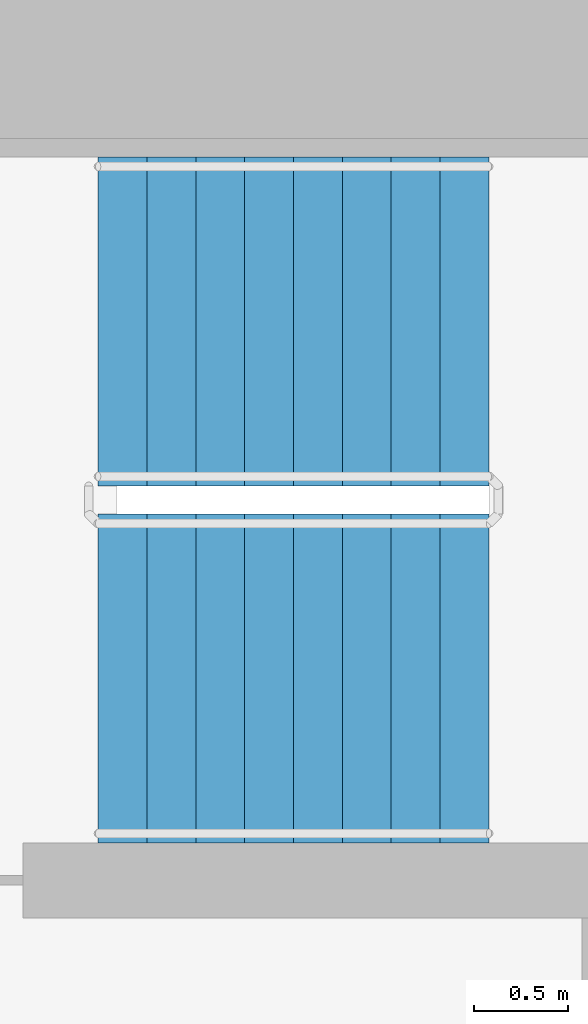
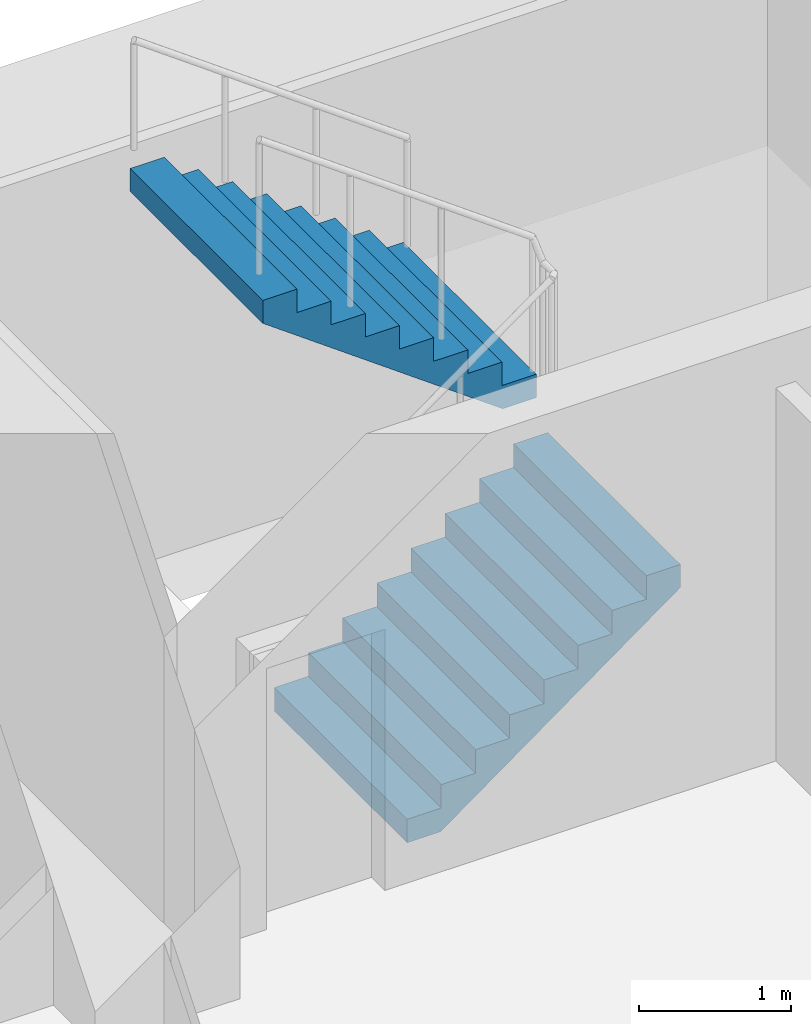
# One storey, part 17 of 21: 2 stair flights, 1 element without a shape of its own.
"""IFC4 building model written with IfcOpenShell, lengths in metres."""

from ifc_helpers import new_model, si_unit, direction, frame, origin, place, context, subcontext, project, spatial, faceted_brep, material, type_object, element, aggregate, save


model = new_model("IFC4")

# Units and contexts
model_context = context("Model", 3, precision=1e-05, world=origin(), true_north=direction((0.0, 1.0)))
body_context = subcontext(model_context, "Body", "Model", "MODEL_VIEW")
ifc_project = project(units=[si_unit("LENGTHUNIT", "METRE"), si_unit("AREAUNIT", "SQUARE_METRE"), si_unit("VOLUMEUNIT", "CUBIC_METRE"), si_unit("PLANEANGLEUNIT", "RADIAN"), si_unit("MASSUNIT", "GRAM", prefix="KILO")], contexts=[model_context])

# Site, building, storey
site_placement = place(None, origin())
site = spatial("IfcSite", under=ifc_project, at=site_placement, CompositionType="ELEMENT")
building_placement = place(site_placement, origin())
building = spatial("IfcBuilding", under=site, at=building_placement, Name="Ipe Terrace Towers", CompositionType="ELEMENT")
storey_placement = place(building_placement, frame((0.0, 0.0, 34.699951171875)))
storey = spatial("IfcBuildingStorey", under=building, at=storey_placement, Name="L08", CompositionType="ELEMENT", Elevation=34.699951171875)

# Stair, stair flights
ifc_material_1 = material(Name="Concrete C30/37", Category="concrete")
stair_type = type_object("IfcStairType", Name="Protected exit stair", PredefinedType="HALF_TURN_STAIR", material=ifc_material_1)
stair_placement = place(storey_placement, origin())
stair = element("IfcStair", 1, at=stair_placement, inside=storey, type_object=stair_type, Name="L08 Exit stair T1-C1", PredefinedType="HALF_TURN_STAIR")
ifc_material_2 = material(Name="Concrete C30/37", Category="concrete")
stair_flight_type = type_object("IfcStairFlightType", Name="Exit stair flight 1750", PredefinedType="STRAIGHT", material=ifc_material_2)
stair_flight_1_placement = place(storey_placement, frame((-26.300048828125, 2.77490234375, 0.0), z_axis=(0.0, 0.0, 1.0), x_axis=(1.0, 0.0, 0.0)))
stair_flight_1 = element("IfcStairFlight", 2, at=stair_flight_1_placement, type_object=stair_flight_type, Name="T1-ST1 flight 1", NumberOfRisers=9, NumberOfTreads=8, PredefinedType="STRAIGHT", RiserHeight=0.188888889, TreadLength=0.26, context=body_context, shape_type="Brep", body=[
    faceted_brep([(0.255126953125, -0.875, 0.0), (2.080078125, -0.875, 1.325927734375), (2.080078125, -0.875, 1.51123046875), (1.820068359375, -0.875, 1.51123046875), (1.820068359375, -0.875, 1.322265625), (1.56005859375, -0.875, 1.322265625), (1.56005859375, -0.875, 1.13330078125), (1.300048828125, -0.875, 1.13330078125), (1.300048828125, -0.875, 0.9443359375), (1.0400390625, -0.875, 0.9443359375), (1.0400390625, -0.875, 0.755615234375), (0.780029296875, -0.875, 0.755615234375), (0.780029296875, -0.875, 0.566650390625), (0.52001953125, -0.875, 0.566650390625), (0.52001953125, -0.875, 0.377685546875), (0.260009765625, -0.875, 0.377685546875), (0.260009765625, -0.875, 0.18896484375), (0.0, -0.875, 0.18896484375), (0.0, -0.875, 0.0), (0.0, 0.875, 0.0), (0.0, 0.875, 0.18896484375), (0.260009765625, 0.875, 0.18896484375), (0.260009765625, 0.875, 0.377685546875), (0.52001953125, 0.875, 0.377685546875), (0.52001953125, 0.875, 0.566650390625), (0.780029296875, 0.875, 0.566650390625), (0.780029296875, 0.875, 0.755615234375), (1.0400390625, 0.875, 0.755615234375), (1.0400390625, 0.875, 0.9443359375), (1.300048828125, 0.875, 0.9443359375), (1.300048828125, 0.875, 1.13330078125), (1.56005859375, 0.875, 1.13330078125), (1.56005859375, 0.875, 1.322265625), (1.820068359375, 0.875, 1.322265625), (1.820068359375, 0.875, 1.51123046875), (2.080078125, 0.875, 1.51123046875), (2.080078125, 0.875, 1.325927734375), (0.255126953125, 0.875, 0.0), (0.0, -0.300048828125, 0.18896484375), (0.0, -0.1201171875, 0.18896484375), (0.0, -0.06005859375, 0.18896484375), (0.0, -0.030029296875, 0.18896484375), (0.0, -0.010009765625, 0.18896484375), (0.0, 0.0, 0.18896484375), (0.0, 0.010009765625, 0.18896484375), (0.0, 0.030029296875, 0.18896484375), (0.0, 0.06005859375, 0.18896484375), (0.0, 0.1201171875, 0.18896484375), (0.0, 0.300048828125, 0.18896484375), (0.0, 0.300048828125, 0.0), (0.0, 0.1201171875, 0.0), (0.0, 0.06005859375, 0.0), (0.0, 0.030029296875, 0.0), (0.0, 0.010009765625, 0.0), (0.0, 0.0, 0.0), (0.0, -0.010009765625, 0.0), (0.0, -0.030029296875, 0.0), (0.0, -0.06005859375, 0.0), (0.0, -0.1201171875, 0.0), (0.0, -0.300048828125, 0.0), (0.260009765625, -0.300048828125, 0.18896484375), (0.260009765625, -0.1201171875, 0.18896484375), (0.260009765625, -0.06005859375, 0.18896484375), (0.260009765625, -0.030029296875, 0.18896484375), (0.260009765625, -0.010009765625, 0.18896484375), (0.260009765625, 0.0, 0.18896484375), (0.260009765625, 0.010009765625, 0.18896484375), (0.260009765625, 0.030029296875, 0.18896484375), (0.260009765625, 0.06005859375, 0.18896484375), (0.260009765625, 0.1201171875, 0.18896484375), (0.260009765625, 0.300048828125, 0.18896484375), (0.260009765625, -0.300048828125, 0.377685546875), (0.260009765625, -0.1201171875, 0.377685546875), (0.260009765625, -0.06005859375, 0.377685546875), (0.260009765625, -0.030029296875, 0.377685546875), (0.260009765625, -0.010009765625, 0.377685546875), (0.260009765625, 0.0, 0.377685546875), (0.260009765625, 0.010009765625, 0.377685546875), (0.260009765625, 0.030029296875, 0.377685546875), (0.260009765625, 0.06005859375, 0.377685546875), (0.260009765625, 0.1201171875, 0.377685546875), (0.260009765625, 0.300048828125, 0.377685546875), (0.52001953125, -0.300048828125, 0.377685546875), (0.52001953125, -0.1201171875, 0.377685546875), (0.52001953125, -0.06005859375, 0.377685546875), (0.52001953125, -0.030029296875, 0.377685546875), (0.52001953125, -0.010009765625, 0.377685546875), (0.52001953125, 0.0, 0.377685546875), (0.52001953125, 0.010009765625, 0.377685546875), (0.52001953125, 0.030029296875, 0.377685546875), (0.52001953125, 0.06005859375, 0.377685546875), (0.52001953125, 0.1201171875, 0.377685546875), (0.52001953125, 0.300048828125, 0.377685546875), (0.52001953125, -0.300048828125, 0.566650390625), (0.52001953125, -0.1201171875, 0.566650390625), (0.52001953125, -0.06005859375, 0.566650390625), (0.52001953125, -0.030029296875, 0.566650390625), (0.52001953125, -0.010009765625, 0.566650390625), (0.52001953125, 0.0, 0.566650390625), (0.52001953125, 0.010009765625, 0.566650390625), (0.52001953125, 0.030029296875, 0.566650390625), (0.52001953125, 0.06005859375, 0.566650390625), (0.52001953125, 0.1201171875, 0.566650390625), (0.52001953125, 0.300048828125, 0.566650390625), (0.780029296875, -0.300048828125, 0.566650390625), (0.780029296875, -0.1201171875, 0.566650390625), (0.780029296875, -0.06005859375, 0.566650390625), (0.780029296875, -0.030029296875, 0.566650390625), (0.780029296875, -0.010009765625, 0.566650390625), (0.780029296875, 0.0, 0.566650390625), (0.780029296875, 0.010009765625, 0.566650390625), (0.780029296875, 0.030029296875, 0.566650390625), (0.780029296875, 0.06005859375, 0.566650390625), (0.780029296875, 0.1201171875, 0.566650390625), (0.780029296875, 0.300048828125, 0.566650390625), (0.780029296875, -0.300048828125, 0.755615234375), (0.780029296875, -0.1201171875, 0.755615234375), (0.780029296875, -0.06005859375, 0.755615234375), (0.780029296875, -0.030029296875, 0.755615234375), (0.780029296875, -0.010009765625, 0.755615234375), (0.780029296875, 0.0, 0.755615234375), (0.780029296875, 0.010009765625, 0.755615234375), (0.780029296875, 0.030029296875, 0.755615234375), (0.780029296875, 0.06005859375, 0.755615234375), (0.780029296875, 0.1201171875, 0.755615234375), (0.780029296875, 0.300048828125, 0.755615234375), (1.0400390625, -0.300048828125, 0.755615234375), (1.0400390625, -0.1201171875, 0.755615234375), (1.0400390625, -0.06005859375, 0.755615234375), (1.0400390625, -0.030029296875, 0.755615234375), (1.0400390625, -0.010009765625, 0.755615234375), (1.0400390625, 0.0, 0.755615234375), (1.0400390625, 0.010009765625, 0.755615234375), (1.0400390625, 0.030029296875, 0.755615234375), (1.0400390625, 0.06005859375, 0.755615234375), (1.0400390625, 0.1201171875, 0.755615234375), (1.0400390625, 0.300048828125, 0.755615234375), (1.0400390625, -0.300048828125, 0.9443359375), (1.0400390625, -0.1201171875, 0.9443359375), (1.0400390625, -0.06005859375, 0.9443359375), (1.0400390625, -0.030029296875, 0.9443359375), (1.0400390625, -0.010009765625, 0.9443359375), (1.0400390625, 0.0, 0.9443359375), (1.0400390625, 0.010009765625, 0.9443359375), (1.0400390625, 0.030029296875, 0.9443359375), (1.0400390625, 0.06005859375, 0.9443359375), (1.0400390625, 0.1201171875, 0.9443359375), (1.0400390625, 0.300048828125, 0.9443359375), (1.300048828125, -0.300048828125, 0.9443359375), (1.300048828125, -0.1201171875, 0.9443359375), (1.300048828125, -0.06005859375, 0.9443359375), (1.300048828125, -0.030029296875, 0.9443359375), (1.300048828125, -0.010009765625, 0.9443359375), (1.300048828125, 0.0, 0.9443359375), (1.300048828125, 0.010009765625, 0.9443359375), (1.300048828125, 0.030029296875, 0.9443359375), (1.300048828125, 0.06005859375, 0.9443359375), (1.300048828125, 0.1201171875, 0.9443359375), (1.300048828125, 0.300048828125, 0.9443359375), (1.300048828125, -0.300048828125, 1.13330078125), (1.300048828125, -0.1201171875, 1.13330078125), (1.300048828125, -0.06005859375, 1.13330078125), (1.300048828125, -0.030029296875, 1.13330078125), (1.300048828125, -0.010009765625, 1.13330078125), (1.300048828125, 0.0, 1.13330078125), (1.300048828125, 0.010009765625, 1.13330078125), (1.300048828125, 0.030029296875, 1.13330078125), (1.300048828125, 0.06005859375, 1.13330078125), (1.300048828125, 0.1201171875, 1.13330078125), (1.300048828125, 0.300048828125, 1.13330078125), (1.56005859375, -0.300048828125, 1.13330078125), (1.56005859375, -0.1201171875, 1.13330078125), (1.56005859375, -0.06005859375, 1.13330078125), (1.56005859375, -0.030029296875, 1.13330078125), (1.56005859375, -0.010009765625, 1.13330078125), (1.56005859375, 0.0, 1.13330078125), (1.56005859375, 0.010009765625, 1.13330078125), (1.56005859375, 0.030029296875, 1.13330078125), (1.56005859375, 0.06005859375, 1.13330078125), (1.56005859375, 0.1201171875, 1.13330078125), (1.56005859375, 0.300048828125, 1.13330078125), (1.56005859375, -0.300048828125, 1.322265625), (1.56005859375, -0.1201171875, 1.322265625), (1.56005859375, -0.06005859375, 1.322265625), (1.56005859375, -0.030029296875, 1.322265625), (1.56005859375, -0.010009765625, 1.322265625), (1.56005859375, 0.0, 1.322265625), (1.56005859375, 0.010009765625, 1.322265625), (1.56005859375, 0.030029296875, 1.322265625), (1.56005859375, 0.06005859375, 1.322265625), (1.56005859375, 0.1201171875, 1.322265625), (1.56005859375, 0.300048828125, 1.322265625), (1.820068359375, -0.300048828125, 1.322265625), (1.820068359375, -0.1201171875, 1.322265625), (1.820068359375, -0.06005859375, 1.322265625), (1.820068359375, -0.030029296875, 1.322265625), (1.820068359375, -0.010009765625, 1.322265625), (1.820068359375, 0.0, 1.322265625), (1.820068359375, 0.010009765625, 1.322265625), (1.820068359375, 0.030029296875, 1.322265625), (1.820068359375, 0.06005859375, 1.322265625), (1.820068359375, 0.1201171875, 1.322265625), (1.820068359375, 0.300048828125, 1.322265625), (1.820068359375, -0.300048828125, 1.51123046875), (1.820068359375, -0.1201171875, 1.51123046875), (1.820068359375, -0.06005859375, 1.51123046875), (1.820068359375, -0.030029296875, 1.51123046875), (1.820068359375, -0.010009765625, 1.51123046875), (1.820068359375, 0.0, 1.51123046875), (1.820068359375, 0.010009765625, 1.51123046875), (1.820068359375, 0.030029296875, 1.51123046875), (1.820068359375, 0.06005859375, 1.51123046875), (1.820068359375, 0.1201171875, 1.51123046875), (1.820068359375, 0.300048828125, 1.51123046875), (2.080078125, -0.300048828125, 1.51123046875), (2.080078125, -0.1201171875, 1.51123046875), (2.080078125, -0.06005859375, 1.51123046875), (2.080078125, -0.030029296875, 1.51123046875), (2.080078125, -0.010009765625, 1.51123046875), (2.080078125, 0.0, 1.51123046875), (2.080078125, 0.010009765625, 1.51123046875), (2.080078125, 0.030029296875, 1.51123046875), (2.080078125, 0.06005859375, 1.51123046875), (2.080078125, 0.1201171875, 1.51123046875), (2.080078125, 0.300048828125, 1.51123046875), (2.080078125, -0.300048828125, 1.325927734375), (2.080078125, -0.1201171875, 1.325927734375), (2.080078125, -0.06005859375, 1.325927734375), (2.080078125, -0.030029296875, 1.325927734375), (2.080078125, -0.010009765625, 1.325927734375), (2.080078125, 0.0, 1.325927734375), (2.080078125, 0.010009765625, 1.325927734375), (2.080078125, 0.030029296875, 1.325927734375), (2.080078125, 0.06005859375, 1.325927734375), (2.080078125, 0.1201171875, 1.325927734375), (2.080078125, 0.300048828125, 1.325927734375), (0.255126953125, -0.300048828125, 0.0), (0.255126953125, -0.1201171875, 0.0), (0.255126953125, -0.06005859375, 0.0), (0.255126953125, -0.030029296875, 0.0), (0.255126953125, -0.010009765625, 0.0), (0.255126953125, 0.0, 0.0), (0.255126953125, 0.010009765625, 0.0), (0.255126953125, 0.030029296875, 0.0), (0.255126953125, 0.06005859375, 0.0), (0.255126953125, 0.1201171875, 0.0), (0.255126953125, 0.300048828125, 0.0)], [[[0, 1, 2, 3, 4, 5, 6, 7, 8, 9, 10, 11, 12, 13, 14, 15, 16, 17, 18]], [[19, 20, 21, 22, 23, 24, 25, 26, 27, 28, 29, 30, 31, 32, 33, 34, 35, 36, 37]], [[17, 38, 39, 40, 41, 42, 43, 44, 45, 46, 47, 48, 20, 19, 49, 50, 51, 52, 53, 54, 55, 56, 57, 58, 59, 18]], [[16, 60, 61, 62, 63, 64, 65, 66, 67, 68, 69, 70, 21, 20, 48, 47, 46, 45, 44, 43, 42, 41, 40, 39, 38, 17]], [[15, 71, 72, 73, 74, 75, 76, 77, 78, 79, 80, 81, 22, 21, 70, 69, 68, 67, 66, 65, 64, 63, 62, 61, 60, 16]], [[14, 82, 83, 84, 85, 86, 87, 88, 89, 90, 91, 92, 23, 22, 81, 80, 79, 78, 77, 76, 75, 74, 73, 72, 71, 15]], [[13, 93, 94, 95, 96, 97, 98, 99, 100, 101, 102, 103, 24, 23, 92, 91, 90, 89, 88, 87, 86, 85, 84, 83, 82, 14]], [[12, 104, 105, 106, 107, 108, 109, 110, 111, 112, 113, 114, 25, 24, 103, 102, 101, 100, 99, 98, 97, 96, 95, 94, 93, 13]], [[11, 115, 116, 117, 118, 119, 120, 121, 122, 123, 124, 125, 26, 25, 114, 113, 112, 111, 110, 109, 108, 107, 106, 105, 104, 12]], [[10, 126, 127, 128, 129, 130, 131, 132, 133, 134, 135, 136, 27, 26, 125, 124, 123, 122, 121, 120, 119, 118, 117, 116, 115, 11]], [[9, 137, 138, 139, 140, 141, 142, 143, 144, 145, 146, 147, 28, 27, 136, 135, 134, 133, 132, 131, 130, 129, 128, 127, 126, 10]], [[8, 148, 149, 150, 151, 152, 153, 154, 155, 156, 157, 158, 29, 28, 147, 146, 145, 144, 143, 142, 141, 140, 139, 138, 137, 9]], [[7, 159, 160, 161, 162, 163, 164, 165, 166, 167, 168, 169, 30, 29, 158, 157, 156, 155, 154, 153, 152, 151, 150, 149, 148, 8]], [[6, 170, 171, 172, 173, 174, 175, 176, 177, 178, 179, 180, 31, 30, 169, 168, 167, 166, 165, 164, 163, 162, 161, 160, 159, 7]], [[5, 181, 182, 183, 184, 185, 186, 187, 188, 189, 190, 191, 32, 31, 180, 179, 178, 177, 176, 175, 174, 173, 172, 171, 170, 6]], [[4, 192, 193, 194, 195, 196, 197, 198, 199, 200, 201, 202, 33, 32, 191, 190, 189, 188, 187, 186, 185, 184, 183, 182, 181, 5]], [[3, 203, 204, 205, 206, 207, 208, 209, 210, 211, 212, 213, 34, 33, 202, 201, 200, 199, 198, 197, 196, 195, 194, 193, 192, 4]], [[2, 214, 215, 216, 217, 218, 219, 220, 221, 222, 223, 224, 35, 34, 213, 212, 211, 210, 209, 208, 207, 206, 205, 204, 203, 3]], [[1, 225, 226, 227, 228, 229, 230, 231, 232, 233, 234, 235, 36, 35, 224, 223, 222, 221, 220, 219, 218, 217, 216, 215, 214, 2]], [[0, 236, 237, 238, 239, 240, 241, 242, 243, 244, 245, 246, 37, 36, 235, 234, 233, 232, 231, 230, 229, 228, 227, 226, 225, 1]], [[18, 59, 58, 57, 56, 55, 54, 53, 52, 51, 50, 49, 19, 37, 246, 245, 244, 243, 242, 241, 240, 239, 238, 237, 236, 0]]]),
])
stair_flight_2_placement = place(storey_placement, frame((-24.219970703125, 4.675048828125, 1.699951171875), z_axis=(0.0, 0.0, 1.0), x_axis=(-1.0, 0.0, 0.0)))
stair_flight_2 = element("IfcStairFlight", 3, at=stair_flight_2_placement, type_object=stair_flight_type, Name="T1-ST1 flight 2", NumberOfRisers=9, NumberOfTreads=8, PredefinedType="STRAIGHT", RiserHeight=0.188888889, TreadLength=0.26, context=body_context, shape_type="Brep", body=[
    faceted_brep([(0.255126953125, -0.875, 0.0), (2.080078125, -0.875, 1.325927734375), (2.080078125, -0.875, 1.51123046875), (1.820068359375, -0.875, 1.51123046875), (1.820068359375, -0.875, 1.322265625), (1.56005859375, -0.875, 1.322265625), (1.56005859375, -0.875, 1.13330078125), (1.300048828125, -0.875, 1.13330078125), (1.300048828125, -0.875, 0.9443359375), (1.0400390625, -0.875, 0.9443359375), (1.0400390625, -0.875, 0.755615234375), (0.780029296875, -0.875, 0.755615234375), (0.780029296875, -0.875, 0.566650390625), (0.52001953125, -0.875, 0.566650390625), (0.52001953125, -0.875, 0.377685546875), (0.260009765625, -0.875, 0.377685546875), (0.260009765625, -0.875, 0.18896484375), (0.0, -0.875, 0.18896484375), (0.0, -0.875, 0.0), (0.0, 0.875, 0.0), (0.0, 0.875, 0.18896484375), (0.260009765625, 0.875, 0.18896484375), (0.260009765625, 0.875, 0.377685546875), (0.52001953125, 0.875, 0.377685546875), (0.52001953125, 0.875, 0.566650390625), (0.780029296875, 0.875, 0.566650390625), (0.780029296875, 0.875, 0.755615234375), (1.0400390625, 0.875, 0.755615234375), (1.0400390625, 0.875, 0.9443359375), (1.300048828125, 0.875, 0.9443359375), (1.300048828125, 0.875, 1.13330078125), (1.56005859375, 0.875, 1.13330078125), (1.56005859375, 0.875, 1.322265625), (1.820068359375, 0.875, 1.322265625), (1.820068359375, 0.875, 1.51123046875), (2.080078125, 0.875, 1.51123046875), (2.080078125, 0.875, 1.325927734375), (0.255126953125, 0.875, 0.0), (0.0, -0.300048828125, 0.18896484375), (0.0, -0.1201171875, 0.18896484375), (0.0, -0.06005859375, 0.18896484375), (0.0, -0.030029296875, 0.18896484375), (0.0, -0.010009765625, 0.18896484375), (0.0, 0.0, 0.18896484375), (0.0, 0.010009765625, 0.18896484375), (0.0, 0.030029296875, 0.18896484375), (0.0, 0.06005859375, 0.18896484375), (0.0, 0.1201171875, 0.18896484375), (0.0, 0.300048828125, 0.18896484375), (0.0, 0.300048828125, 0.0), (0.0, 0.1201171875, 0.0), (0.0, 0.06005859375, 0.0), (0.0, 0.030029296875, 0.0), (0.0, 0.010009765625, 0.0), (0.0, 0.0, 0.0), (0.0, -0.010009765625, 0.0), (0.0, -0.030029296875, 0.0), (0.0, -0.06005859375, 0.0), (0.0, -0.1201171875, 0.0), (0.0, -0.300048828125, 0.0), (0.260009765625, -0.300048828125, 0.18896484375), (0.260009765625, -0.1201171875, 0.18896484375), (0.260009765625, -0.06005859375, 0.18896484375), (0.260009765625, -0.030029296875, 0.18896484375), (0.260009765625, -0.010009765625, 0.18896484375), (0.260009765625, 0.0, 0.18896484375), (0.260009765625, 0.010009765625, 0.18896484375), (0.260009765625, 0.030029296875, 0.18896484375), (0.260009765625, 0.06005859375, 0.18896484375), (0.260009765625, 0.1201171875, 0.18896484375), (0.260009765625, 0.300048828125, 0.18896484375), (0.260009765625, -0.300048828125, 0.377685546875), (0.260009765625, -0.1201171875, 0.377685546875), (0.260009765625, -0.06005859375, 0.377685546875), (0.260009765625, -0.030029296875, 0.377685546875), (0.260009765625, -0.010009765625, 0.377685546875), (0.260009765625, 0.0, 0.377685546875), (0.260009765625, 0.010009765625, 0.377685546875), (0.260009765625, 0.030029296875, 0.377685546875), (0.260009765625, 0.06005859375, 0.377685546875), (0.260009765625, 0.1201171875, 0.377685546875), (0.260009765625, 0.300048828125, 0.377685546875), (0.52001953125, -0.300048828125, 0.377685546875), (0.52001953125, -0.1201171875, 0.377685546875), (0.52001953125, -0.06005859375, 0.377685546875), (0.52001953125, -0.030029296875, 0.377685546875), (0.52001953125, -0.010009765625, 0.377685546875), (0.52001953125, 0.0, 0.377685546875), (0.52001953125, 0.010009765625, 0.377685546875), (0.52001953125, 0.030029296875, 0.377685546875), (0.52001953125, 0.06005859375, 0.377685546875), (0.52001953125, 0.1201171875, 0.377685546875), (0.52001953125, 0.300048828125, 0.377685546875), (0.52001953125, -0.300048828125, 0.566650390625), (0.52001953125, -0.1201171875, 0.566650390625), (0.52001953125, -0.06005859375, 0.566650390625), (0.52001953125, -0.030029296875, 0.566650390625), (0.52001953125, -0.010009765625, 0.566650390625), (0.52001953125, 0.0, 0.566650390625), (0.52001953125, 0.010009765625, 0.566650390625), (0.52001953125, 0.030029296875, 0.566650390625), (0.52001953125, 0.06005859375, 0.566650390625), (0.52001953125, 0.1201171875, 0.566650390625), (0.52001953125, 0.300048828125, 0.566650390625), (0.780029296875, -0.300048828125, 0.566650390625), (0.780029296875, -0.1201171875, 0.566650390625), (0.780029296875, -0.06005859375, 0.566650390625), (0.780029296875, -0.030029296875, 0.566650390625), (0.780029296875, -0.010009765625, 0.566650390625), (0.780029296875, 0.0, 0.566650390625), (0.780029296875, 0.010009765625, 0.566650390625), (0.780029296875, 0.030029296875, 0.566650390625), (0.780029296875, 0.06005859375, 0.566650390625), (0.780029296875, 0.1201171875, 0.566650390625), (0.780029296875, 0.300048828125, 0.566650390625), (0.780029296875, -0.300048828125, 0.755615234375), (0.780029296875, -0.1201171875, 0.755615234375), (0.780029296875, -0.06005859375, 0.755615234375), (0.780029296875, -0.030029296875, 0.755615234375), (0.780029296875, -0.010009765625, 0.755615234375), (0.780029296875, 0.0, 0.755615234375), (0.780029296875, 0.010009765625, 0.755615234375), (0.780029296875, 0.030029296875, 0.755615234375), (0.780029296875, 0.06005859375, 0.755615234375), (0.780029296875, 0.1201171875, 0.755615234375), (0.780029296875, 0.300048828125, 0.755615234375), (1.0400390625, -0.300048828125, 0.755615234375), (1.0400390625, -0.1201171875, 0.755615234375), (1.0400390625, -0.06005859375, 0.755615234375), (1.0400390625, -0.030029296875, 0.755615234375), (1.0400390625, -0.010009765625, 0.755615234375), (1.0400390625, 0.0, 0.755615234375), (1.0400390625, 0.010009765625, 0.755615234375), (1.0400390625, 0.030029296875, 0.755615234375), (1.0400390625, 0.06005859375, 0.755615234375), (1.0400390625, 0.1201171875, 0.755615234375), (1.0400390625, 0.300048828125, 0.755615234375), (1.0400390625, -0.300048828125, 0.9443359375), (1.0400390625, -0.1201171875, 0.9443359375), (1.0400390625, -0.06005859375, 0.9443359375), (1.0400390625, -0.030029296875, 0.9443359375), (1.0400390625, -0.010009765625, 0.9443359375), (1.0400390625, 0.0, 0.9443359375), (1.0400390625, 0.010009765625, 0.9443359375), (1.0400390625, 0.030029296875, 0.9443359375), (1.0400390625, 0.06005859375, 0.9443359375), (1.0400390625, 0.1201171875, 0.9443359375), (1.0400390625, 0.300048828125, 0.9443359375), (1.300048828125, -0.300048828125, 0.9443359375), (1.300048828125, -0.1201171875, 0.9443359375), (1.300048828125, -0.06005859375, 0.9443359375), (1.300048828125, -0.030029296875, 0.9443359375), (1.300048828125, -0.010009765625, 0.9443359375), (1.300048828125, 0.0, 0.9443359375), (1.300048828125, 0.010009765625, 0.9443359375), (1.300048828125, 0.030029296875, 0.9443359375), (1.300048828125, 0.06005859375, 0.9443359375), (1.300048828125, 0.1201171875, 0.9443359375), (1.300048828125, 0.300048828125, 0.9443359375), (1.300048828125, -0.300048828125, 1.13330078125), (1.300048828125, -0.1201171875, 1.13330078125), (1.300048828125, -0.06005859375, 1.13330078125), (1.300048828125, -0.030029296875, 1.13330078125), (1.300048828125, -0.010009765625, 1.13330078125), (1.300048828125, 0.0, 1.13330078125), (1.300048828125, 0.010009765625, 1.13330078125), (1.300048828125, 0.030029296875, 1.13330078125), (1.300048828125, 0.06005859375, 1.13330078125), (1.300048828125, 0.1201171875, 1.13330078125), (1.300048828125, 0.300048828125, 1.13330078125), (1.56005859375, -0.300048828125, 1.13330078125), (1.56005859375, -0.1201171875, 1.13330078125), (1.56005859375, -0.06005859375, 1.13330078125), (1.56005859375, -0.030029296875, 1.13330078125), (1.56005859375, -0.010009765625, 1.13330078125), (1.56005859375, 0.0, 1.13330078125), (1.56005859375, 0.010009765625, 1.13330078125), (1.56005859375, 0.030029296875, 1.13330078125), (1.56005859375, 0.06005859375, 1.13330078125), (1.56005859375, 0.1201171875, 1.13330078125), (1.56005859375, 0.300048828125, 1.13330078125), (1.56005859375, -0.300048828125, 1.322265625), (1.56005859375, -0.1201171875, 1.322265625), (1.56005859375, -0.06005859375, 1.322265625), (1.56005859375, -0.030029296875, 1.322265625), (1.56005859375, -0.010009765625, 1.322265625), (1.56005859375, 0.0, 1.322265625), (1.56005859375, 0.010009765625, 1.322265625), (1.56005859375, 0.030029296875, 1.322265625), (1.56005859375, 0.06005859375, 1.322265625), (1.56005859375, 0.1201171875, 1.322265625), (1.56005859375, 0.300048828125, 1.322265625), (1.820068359375, -0.300048828125, 1.322265625), (1.820068359375, -0.1201171875, 1.322265625), (1.820068359375, -0.06005859375, 1.322265625), (1.820068359375, -0.030029296875, 1.322265625), (1.820068359375, -0.010009765625, 1.322265625), (1.820068359375, 0.0, 1.322265625), (1.820068359375, 0.010009765625, 1.322265625), (1.820068359375, 0.030029296875, 1.322265625), (1.820068359375, 0.06005859375, 1.322265625), (1.820068359375, 0.1201171875, 1.322265625), (1.820068359375, 0.300048828125, 1.322265625), (1.820068359375, -0.300048828125, 1.51123046875), (1.820068359375, -0.1201171875, 1.51123046875), (1.820068359375, -0.06005859375, 1.51123046875), (1.820068359375, -0.030029296875, 1.51123046875), (1.820068359375, -0.010009765625, 1.51123046875), (1.820068359375, 0.0, 1.51123046875), (1.820068359375, 0.010009765625, 1.51123046875), (1.820068359375, 0.030029296875, 1.51123046875), (1.820068359375, 0.06005859375, 1.51123046875), (1.820068359375, 0.1201171875, 1.51123046875), (1.820068359375, 0.300048828125, 1.51123046875), (2.080078125, -0.300048828125, 1.51123046875), (2.080078125, -0.1201171875, 1.51123046875), (2.080078125, -0.06005859375, 1.51123046875), (2.080078125, -0.030029296875, 1.51123046875), (2.080078125, -0.010009765625, 1.51123046875), (2.080078125, 0.0, 1.51123046875), (2.080078125, 0.010009765625, 1.51123046875), (2.080078125, 0.030029296875, 1.51123046875), (2.080078125, 0.06005859375, 1.51123046875), (2.080078125, 0.1201171875, 1.51123046875), (2.080078125, 0.300048828125, 1.51123046875), (2.080078125, -0.300048828125, 1.325927734375), (2.080078125, -0.1201171875, 1.325927734375), (2.080078125, -0.06005859375, 1.325927734375), (2.080078125, -0.030029296875, 1.325927734375), (2.080078125, -0.010009765625, 1.325927734375), (2.080078125, 0.0, 1.325927734375), (2.080078125, 0.010009765625, 1.325927734375), (2.080078125, 0.030029296875, 1.325927734375), (2.080078125, 0.06005859375, 1.325927734375), (2.080078125, 0.1201171875, 1.325927734375), (2.080078125, 0.300048828125, 1.325927734375), (0.255126953125, -0.300048828125, 0.0), (0.255126953125, -0.1201171875, 0.0), (0.255126953125, -0.06005859375, 0.0), (0.255126953125, -0.030029296875, 0.0), (0.255126953125, -0.010009765625, 0.0), (0.255126953125, 0.0, 0.0), (0.255126953125, 0.010009765625, 0.0), (0.255126953125, 0.030029296875, 0.0), (0.255126953125, 0.06005859375, 0.0), (0.255126953125, 0.1201171875, 0.0), (0.255126953125, 0.300048828125, 0.0)], [[[0, 1, 2, 3, 4, 5, 6, 7, 8, 9, 10, 11, 12, 13, 14, 15, 16, 17, 18]], [[19, 20, 21, 22, 23, 24, 25, 26, 27, 28, 29, 30, 31, 32, 33, 34, 35, 36, 37]], [[17, 38, 39, 40, 41, 42, 43, 44, 45, 46, 47, 48, 20, 19, 49, 50, 51, 52, 53, 54, 55, 56, 57, 58, 59, 18]], [[16, 60, 61, 62, 63, 64, 65, 66, 67, 68, 69, 70, 21, 20, 48, 47, 46, 45, 44, 43, 42, 41, 40, 39, 38, 17]], [[15, 71, 72, 73, 74, 75, 76, 77, 78, 79, 80, 81, 22, 21, 70, 69, 68, 67, 66, 65, 64, 63, 62, 61, 60, 16]], [[14, 82, 83, 84, 85, 86, 87, 88, 89, 90, 91, 92, 23, 22, 81, 80, 79, 78, 77, 76, 75, 74, 73, 72, 71, 15]], [[13, 93, 94, 95, 96, 97, 98, 99, 100, 101, 102, 103, 24, 23, 92, 91, 90, 89, 88, 87, 86, 85, 84, 83, 82, 14]], [[12, 104, 105, 106, 107, 108, 109, 110, 111, 112, 113, 114, 25, 24, 103, 102, 101, 100, 99, 98, 97, 96, 95, 94, 93, 13]], [[11, 115, 116, 117, 118, 119, 120, 121, 122, 123, 124, 125, 26, 25, 114, 113, 112, 111, 110, 109, 108, 107, 106, 105, 104, 12]], [[10, 126, 127, 128, 129, 130, 131, 132, 133, 134, 135, 136, 27, 26, 125, 124, 123, 122, 121, 120, 119, 118, 117, 116, 115, 11]], [[9, 137, 138, 139, 140, 141, 142, 143, 144, 145, 146, 147, 28, 27, 136, 135, 134, 133, 132, 131, 130, 129, 128, 127, 126, 10]], [[8, 148, 149, 150, 151, 152, 153, 154, 155, 156, 157, 158, 29, 28, 147, 146, 145, 144, 143, 142, 141, 140, 139, 138, 137, 9]], [[7, 159, 160, 161, 162, 163, 164, 165, 166, 167, 168, 169, 30, 29, 158, 157, 156, 155, 154, 153, 152, 151, 150, 149, 148, 8]], [[6, 170, 171, 172, 173, 174, 175, 176, 177, 178, 179, 180, 31, 30, 169, 168, 167, 166, 165, 164, 163, 162, 161, 160, 159, 7]], [[5, 181, 182, 183, 184, 185, 186, 187, 188, 189, 190, 191, 32, 31, 180, 179, 178, 177, 176, 175, 174, 173, 172, 171, 170, 6]], [[4, 192, 193, 194, 195, 196, 197, 198, 199, 200, 201, 202, 33, 32, 191, 190, 189, 188, 187, 186, 185, 184, 183, 182, 181, 5]], [[3, 203, 204, 205, 206, 207, 208, 209, 210, 211, 212, 213, 34, 33, 202, 201, 200, 199, 198, 197, 196, 195, 194, 193, 192, 4]], [[2, 214, 215, 216, 217, 218, 219, 220, 221, 222, 223, 224, 35, 34, 213, 212, 211, 210, 209, 208, 207, 206, 205, 204, 203, 3]], [[1, 225, 226, 227, 228, 229, 230, 231, 232, 233, 234, 235, 36, 35, 224, 223, 222, 221, 220, 219, 218, 217, 216, 215, 214, 2]], [[0, 236, 237, 238, 239, 240, 241, 242, 243, 244, 245, 246, 37, 36, 235, 234, 233, 232, 231, 230, 229, 228, 227, 226, 225, 1]], [[18, 59, 58, 57, 56, 55, 54, 53, 52, 51, 50, 49, 19, 37, 246, 245, 244, 243, 242, 241, 240, 239, 238, 237, 236, 0]]]),
])
aggregate(stair, [stair_flight_1, stair_flight_2])

save(model, "model.ifc")
